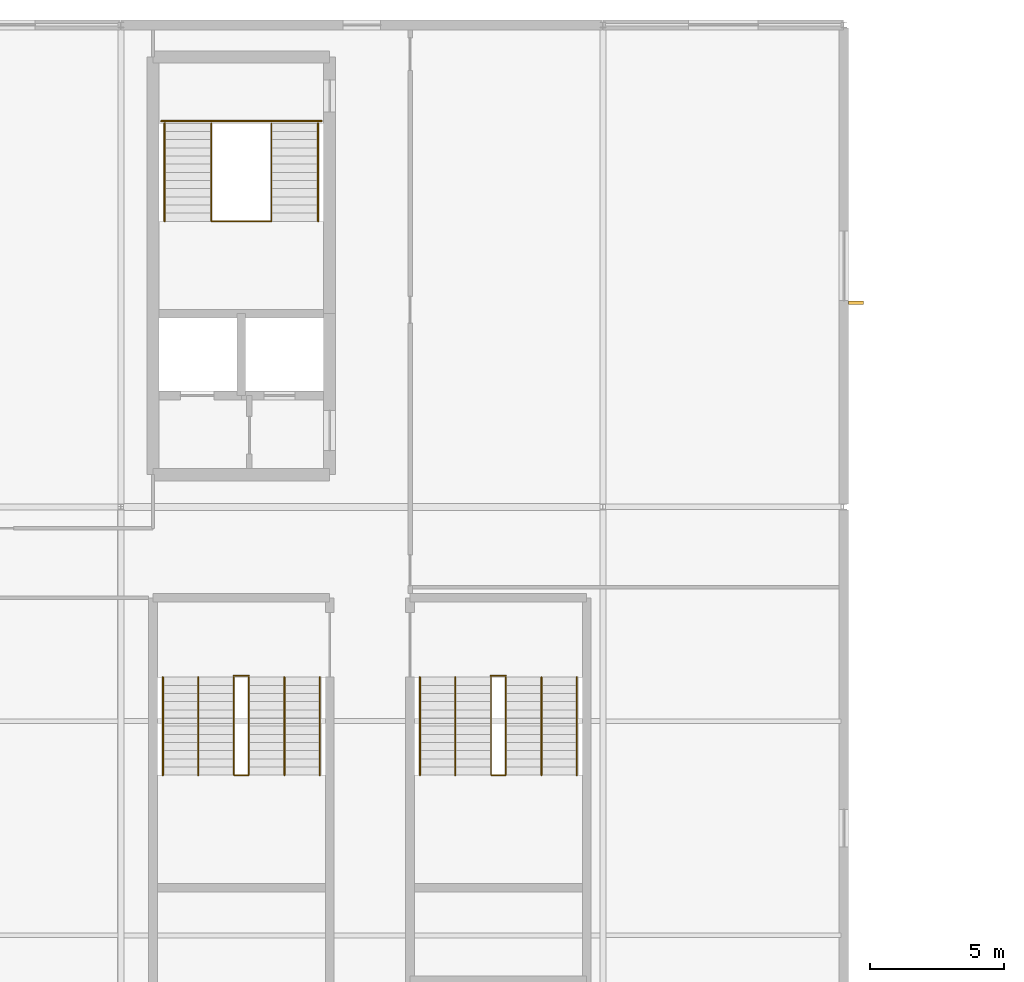
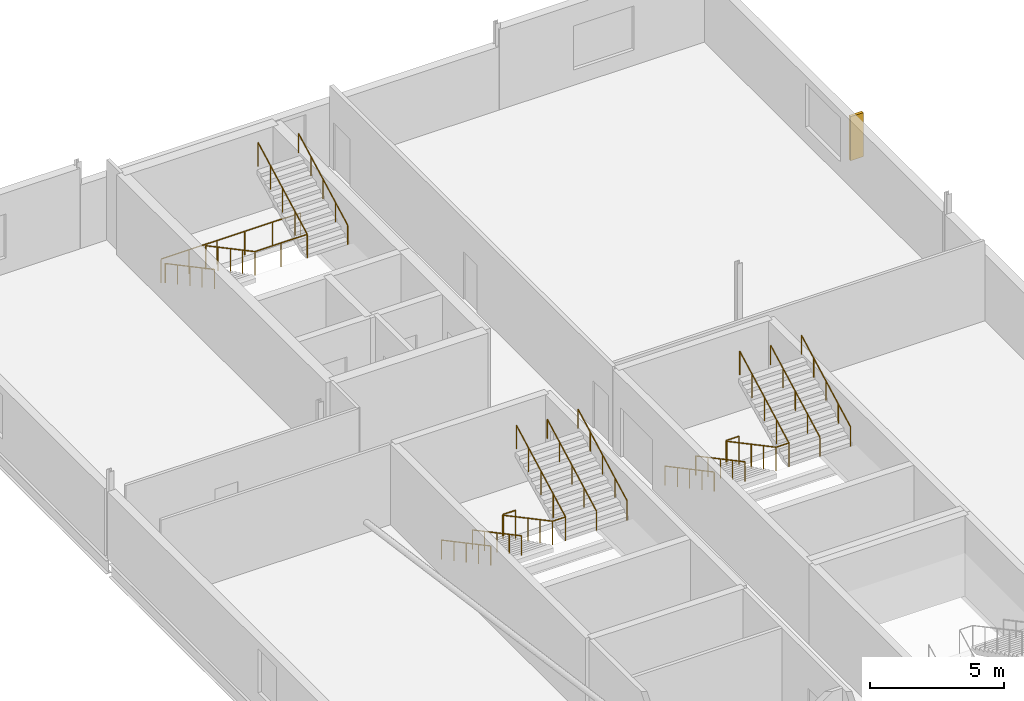
# One storey, part 32 of 35: 16 railings, 1 shading device.
"""IFC4 building model written with IfcOpenShell, lengths in metres."""

from ifc_helpers import new_model, si_unit, direction, frame, origin, origin_2d, place, context, subcontext, project, spatial, rectangle, circle, extrude, material, type_object, element, save


model = new_model("IFC4")

# Units and contexts
model_context = context("Model", 3, precision=1e-05, world=origin(), true_north=direction((0.0, 1.0)))
body_context = subcontext(model_context, "Body", "Model", "MODEL_VIEW")
ifc_project = project(units=[si_unit("LENGTHUNIT", "METRE"), si_unit("AREAUNIT", "SQUARE_METRE"), si_unit("VOLUMEUNIT", "CUBIC_METRE"), si_unit("PLANEANGLEUNIT", "RADIAN"), si_unit("MASSUNIT", "GRAM", prefix="KILO")], contexts=[model_context])

# Site, building, storey
site_placement = place(None, origin())
site = spatial("IfcSite", under=ifc_project, at=site_placement, CompositionType="ELEMENT")
building_placement = place(site_placement, origin())
building = spatial("IfcBuilding", under=site, at=building_placement, Name="Kisiwana Market Hall", CompositionType="ELEMENT")
storey_placement = place(building_placement, frame((0.0, 0.0, 61.800048828125)))
storey = spatial("IfcBuildingStorey", under=building, at=storey_placement, Name="L14", CompositionType="ELEMENT", Elevation=61.800048828125)

# Railings
ifc_material_1 = material(Name="Steel S275", Category="steel")
railing_type_1 = type_object("IfcRailingType", Name="RL-GUARD-1100", PredefinedType="GUARDRAIL", material=ifc_material_1)
railing_1_placement = place(storey_placement, frame((12.375, 98.325439453125, 0.0)))
element("IfcRailing", 1, at=railing_1_placement, inside=storey, type_object=railing_type_1, Name="Stair ST-W1-L14 inner-well guardrail (RL-1591)", PredefinedType="GUARDRAIL", context=body_context, shape_type="SweptSolid", body=[
    extrude(circle(Radius=0.02392578125, at=origin_2d()), frame((0.0, 0.0, 1.076171875), z_axis=(0.0, -0.88255331184, 0.47021234752), x_axis=(1.0, 0.0, 0.0)), (0.0, 0.0, 1.0), 4.14697265625),
    extrude(circle(Radius=0.02392578125, at=origin_2d()), frame((0.0, -3.659912109375, 3.02587890625), z_axis=(1.0, 0.0, 0.0), x_axis=(0.0, 1.0, 0.0)), (0.0, 0.0, 1.0), 2.25),
    extrude(circle(Radius=0.02392578125, at=origin_2d()), frame((2.25, -3.659912109375, 3.02587890625), z_axis=(0.0, 0.88255331184, 0.47021234752), x_axis=(-1.0, 0.0, 0.0)), (0.0, 0.0, 1.0), 4.14697265625),
    extrude(circle(Radius=0.02099609375, at=origin_2d()), origin(), (0.0, 0.0, 1.0), 1.052001953125),
    extrude(circle(Radius=0.02099609375, at=origin_2d()), frame((0.0, -0.9150390625, 0.487548828125)), (0.0, 0.0, 1.0), 1.052001953125),
    extrude(circle(Radius=0.02099609375, at=origin_2d()), frame((0.0, -1.830078125, 0.97509765625)), (0.0, 0.0, 1.0), 1.052001953125),
    extrude(circle(Radius=0.02099609375, at=origin_2d()), frame((0.0, -2.744873046875, 1.46240234375)), (0.0, 0.0, 1.0), 1.052001953125),
    extrude(circle(Radius=0.02099609375, at=origin_2d()), frame((0.0, -3.659912109375, 1.949951171875)), (0.0, 0.0, 1.0), 1.052001953125),
    extrude(circle(Radius=0.02099609375, at=origin_2d()), frame((1.125, -3.659912109375, 1.949951171875)), (0.0, 0.0, 1.0), 1.052001953125),
    extrude(circle(Radius=0.02099609375, at=origin_2d()), frame((2.25, -3.659912109375, 1.949951171875)), (0.0, 0.0, 1.0), 1.052001953125),
    extrude(circle(Radius=0.02099609375, at=origin_2d()), frame((2.25, -2.744873046875, 2.4375)), (0.0, 0.0, 1.0), 1.052001953125),
    extrude(circle(Radius=0.02099609375, at=origin_2d()), frame((2.25, -1.830078125, 2.9248046875)), (0.0, 0.0, 1.0), 1.052001953125),
    extrude(circle(Radius=0.02099609375, at=origin_2d()), frame((2.25, -0.9150390625, 3.412353515625)), (0.0, 0.0, 1.0), 1.052001953125),
    extrude(circle(Radius=0.02099609375, at=origin_2d()), frame((2.25, 0.0, 3.89990234375)), (0.0, 0.0, 1.0), 1.052001953125),
])
railing_2_placement = place(storey_placement, frame((10.5048828125, 98.405517578125, 0.0)))
element("IfcRailing", 2, at=railing_2_placement, inside=storey, type_object=railing_type_1, Name="Stair ST-W1-L14 landing edge guardrail (RL-1594)", PredefinedType="GUARDRAIL", context=body_context, shape_type="SweptSolid", body=[
    extrude(circle(Radius=0.02392578125, at=origin_2d()), frame((0.0, 0.0, 1.076171875), z_axis=(1.0, 0.0, 0.0), x_axis=(0.0, 1.0, 0.0)), (0.0, 0.0, 1.0), 5.990234375),
    extrude(circle(Radius=0.02099609375, at=origin_2d()), origin(), (0.0, 0.0, 1.0), 1.052001953125),
    extrude(circle(Radius=0.02099609375, at=origin_2d()), frame((1.197998046875, 0.0, 0.0)), (0.0, 0.0, 1.0), 1.052001953125),
    extrude(circle(Radius=0.02099609375, at=origin_2d()), frame((2.39599609375, 0.0, 0.0)), (0.0, 0.0, 1.0), 1.052001953125),
    extrude(circle(Radius=0.02099609375, at=origin_2d()), frame((3.59423828125, 0.0, 0.0)), (0.0, 0.0, 1.0), 1.052001953125),
    extrude(circle(Radius=0.02099609375, at=origin_2d()), frame((4.792236328125, 0.0, 0.0)), (0.0, 0.0, 1.0), 1.052001953125),
    extrude(circle(Radius=0.02099609375, at=origin_2d()), frame((5.990234375, 0.0, 0.0)), (0.0, 0.0, 1.0), 1.052001953125),
])
railing_3_placement = place(storey_placement, frame((13.219970703125, 77.639892578125, 0.0)))
element("IfcRailing", 3, at=railing_3_placement, inside=storey, type_object=railing_type_1, Name="Stair ST-W4-L14 inner-well guardrail (RL-1609)", PredefinedType="GUARDRAIL", context=body_context, shape_type="SweptSolid", body=[
    extrude(circle(Radius=0.02392578125, at=origin_2d()), frame((0.0, 0.0, 1.076171875), z_axis=(0.0, -0.88255331184, 0.47021234752), x_axis=(1.0, 0.0, 0.0)), (0.0, 0.0, 1.0), 4.14697265625),
    extrude(circle(Radius=0.02392578125, at=origin_2d()), frame((0.0, -3.659912109375, 3.02587890625), z_axis=(1.0, 0.0, 0.0), x_axis=(0.0, 1.0, 0.0)), (0.0, 0.0, 1.0), 0.56005859375),
    extrude(circle(Radius=0.02392578125, at=origin_2d()), frame((0.56005859375, -3.659912109375, 3.02587890625), z_axis=(0.0, 0.88255331184, 0.47021234752), x_axis=(-1.0, 0.0, 0.0)), (0.0, 0.0, 1.0), 4.14697265625),
    extrude(circle(Radius=0.02099609375, at=origin_2d()), origin(), (0.0, 0.0, 1.0), 1.052001953125),
    extrude(circle(Radius=0.02099609375, at=origin_2d()), frame((0.0, -0.9150390625, 0.487548828125)), (0.0, 0.0, 1.0), 1.052001953125),
    extrude(circle(Radius=0.02099609375, at=origin_2d()), frame((0.0, -1.830078125, 0.97509765625)), (0.0, 0.0, 1.0), 1.052001953125),
    extrude(circle(Radius=0.02099609375, at=origin_2d()), frame((0.0, -2.744873046875, 1.46240234375)), (0.0, 0.0, 1.0), 1.052001953125),
    extrude(circle(Radius=0.02099609375, at=origin_2d()), frame((0.0, -3.659912109375, 1.949951171875)), (0.0, 0.0, 1.0), 1.052001953125),
    extrude(circle(Radius=0.02099609375, at=origin_2d()), frame((0.56005859375, -3.659912109375, 1.949951171875)), (0.0, 0.0, 1.0), 1.052001953125),
    extrude(circle(Radius=0.02099609375, at=origin_2d()), frame((0.56005859375, -2.744873046875, 2.4375)), (0.0, 0.0, 1.0), 1.052001953125),
    extrude(circle(Radius=0.02099609375, at=origin_2d()), frame((0.56005859375, -1.830078125, 2.9248046875)), (0.0, 0.0, 1.0), 1.052001953125),
    extrude(circle(Radius=0.02099609375, at=origin_2d()), frame((0.56005859375, -0.9150390625, 3.412353515625)), (0.0, 0.0, 1.0), 1.052001953125),
    extrude(circle(Radius=0.02099609375, at=origin_2d()), frame((0.56005859375, 0.0, 3.89990234375)), (0.0, 0.0, 1.0), 1.052001953125),
])
railing_4_placement = place(storey_placement, frame((13.219970703125, 77.68994140625, 0.0)))
element("IfcRailing", 4, at=railing_4_placement, inside=storey, type_object=railing_type_1, Name="Stair ST-W4-L14 landing edge guardrail (RL-1614)", PredefinedType="GUARDRAIL", context=body_context, shape_type="SweptSolid", body=[
    extrude(circle(Radius=0.02392578125, at=origin_2d()), frame((0.0, 0.0, 1.076171875), z_axis=(1.0, 0.0, 0.0), x_axis=(0.0, 1.0, 0.0)), (0.0, 0.0, 1.0), 0.56005859375),
    extrude(circle(Radius=0.02099609375, at=origin_2d()), origin(), (0.0, 0.0, 1.0), 1.052001953125),
    extrude(circle(Radius=0.02099609375, at=origin_2d()), frame((0.56005859375, 0.0, 0.0)), (0.0, 0.0, 1.0), 1.052001953125),
])
railing_5_placement = place(storey_placement, frame((22.820068359375, 77.639892578125, 0.0)))
element("IfcRailing", 5, at=railing_5_placement, inside=storey, type_object=railing_type_1, Name="Stair ST-W8-L14 inner-well guardrail (RL-1639)", PredefinedType="GUARDRAIL", context=body_context, shape_type="SweptSolid", body=[
    extrude(circle(Radius=0.02392578125, at=origin_2d()), frame((0.0, 0.0, 1.076171875), z_axis=(0.0, -0.88255331184, 0.47021234752), x_axis=(1.0, 0.0, 0.0)), (0.0, 0.0, 1.0), 4.14697265625),
    extrude(circle(Radius=0.02392578125, at=origin_2d()), frame((0.0, -3.659912109375, 3.02587890625), z_axis=(1.0, 0.0, 0.0), x_axis=(0.0, 1.0, 0.0)), (0.0, 0.0, 1.0), 0.559814453125),
    extrude(circle(Radius=0.02392578125, at=origin_2d()), frame((0.559814453125, -3.659912109375, 3.02587890625), z_axis=(0.0, 0.88255331184, 0.47021234752), x_axis=(-1.0, 0.0, 0.0)), (0.0, 0.0, 1.0), 4.14697265625),
    extrude(circle(Radius=0.02099609375, at=origin_2d()), origin(), (0.0, 0.0, 1.0), 1.052001953125),
    extrude(circle(Radius=0.02099609375, at=origin_2d()), frame((0.0, -0.9150390625, 0.487548828125)), (0.0, 0.0, 1.0), 1.052001953125),
    extrude(circle(Radius=0.02099609375, at=origin_2d()), frame((0.0, -1.830078125, 0.97509765625)), (0.0, 0.0, 1.0), 1.052001953125),
    extrude(circle(Radius=0.02099609375, at=origin_2d()), frame((0.0, -2.744873046875, 1.46240234375)), (0.0, 0.0, 1.0), 1.052001953125),
    extrude(circle(Radius=0.02099609375, at=origin_2d()), frame((0.0, -3.659912109375, 1.949951171875)), (0.0, 0.0, 1.0), 1.052001953125),
    extrude(circle(Radius=0.02099609375, at=origin_2d()), frame((0.559814453125, -3.659912109375, 1.949951171875)), (0.0, 0.0, 1.0), 1.052001953125),
    extrude(circle(Radius=0.02099609375, at=origin_2d()), frame((0.559814453125, -2.744873046875, 2.4375)), (0.0, 0.0, 1.0), 1.052001953125),
    extrude(circle(Radius=0.02099609375, at=origin_2d()), frame((0.559814453125, -1.830078125, 2.9248046875)), (0.0, 0.0, 1.0), 1.052001953125),
    extrude(circle(Radius=0.02099609375, at=origin_2d()), frame((0.559814453125, -0.9150390625, 3.412353515625)), (0.0, 0.0, 1.0), 1.052001953125),
    extrude(circle(Radius=0.02099609375, at=origin_2d()), frame((0.559814453125, 0.0, 3.89990234375)), (0.0, 0.0, 1.0), 1.052001953125),
])
railing_6_placement = place(storey_placement, frame((22.820068359375, 77.68994140625, 0.0)))
element("IfcRailing", 6, at=railing_6_placement, inside=storey, type_object=railing_type_1, Name="Stair ST-W8-L14 landing edge guardrail (RL-1644)", PredefinedType="GUARDRAIL", context=body_context, shape_type="SweptSolid", body=[
    extrude(circle(Radius=0.02392578125, at=origin_2d()), frame((0.0, 0.0, 1.076171875), z_axis=(1.0, 0.0, 0.0), x_axis=(0.0, 1.0, 0.0)), (0.0, 0.0, 1.0), 0.559814453125),
    extrude(circle(Radius=0.02099609375, at=origin_2d()), origin(), (0.0, 0.0, 1.0), 1.052001953125),
    extrude(circle(Radius=0.02099609375, at=origin_2d()), frame((0.559814453125, 0.0, 0.0)), (0.0, 0.0, 1.0), 1.052001953125),
])
ifc_material_2 = material(Name="Steel S275", Category="steel")
railing_type_2 = type_object("IfcRailingType", Name="RL-HAND-900", PredefinedType="HANDRAIL", material=ifc_material_2)
railing_7_placement = place(storey_placement, frame((10.635009765625, 98.325439453125, 0.0)))
element("IfcRailing", 7, at=railing_7_placement, inside=storey, type_object=railing_type_2, Name="Stair ST-W1-L14 flight 1 handrail (RL-1592)", PredefinedType="HANDRAIL", context=body_context, shape_type="SweptSolid", body=[
    extrude(circle(Radius=0.02392578125, at=origin_2d()), frame((0.0, 0.0, 0.8759765625), z_axis=(0.0, -0.88255331184, 0.47021234752), x_axis=(1.0, 0.0, 0.0)), (0.0, 0.0, 1.0), 4.14697265625),
    extrude(circle(Radius=0.02099609375, at=origin_2d()), origin(), (0.0, 0.0, 1.0), 0.851806640625),
    extrude(circle(Radius=0.02099609375, at=origin_2d()), frame((0.0, -0.9150390625, 0.487548828125)), (0.0, 0.0, 1.0), 0.851806640625),
    extrude(circle(Radius=0.02099609375, at=origin_2d()), frame((0.0, -1.830078125, 0.97509765625)), (0.0, 0.0, 1.0), 0.851806640625),
    extrude(circle(Radius=0.02099609375, at=origin_2d()), frame((0.0, -2.744873046875, 1.46240234375)), (0.0, 0.0, 1.0), 0.851806640625),
    extrude(circle(Radius=0.02099609375, at=origin_2d()), frame((0.0, -3.659912109375, 1.949951171875)), (0.0, 0.0, 1.0), 0.851806640625),
])
railing_8_placement = place(storey_placement, frame((16.364990234375, 94.66552734375, 1.949951171875)))
element("IfcRailing", 8, at=railing_8_placement, inside=storey, type_object=railing_type_2, Name="Stair ST-W1-L14 flight 2 handrail (RL-1593)", PredefinedType="HANDRAIL", context=body_context, shape_type="SweptSolid", body=[
    extrude(circle(Radius=0.02392578125, at=origin_2d()), frame((0.0, 0.0, 0.8759765625), z_axis=(0.0, 0.88255331184, 0.47021234752), x_axis=(-1.0, 0.0, 0.0)), (0.0, 0.0, 1.0), 4.14697265625),
    extrude(circle(Radius=0.02099609375, at=origin_2d()), origin(), (0.0, 0.0, 1.0), 0.851806640625),
    extrude(circle(Radius=0.02099609375, at=origin_2d()), frame((0.0, 0.9150390625, 0.487548828125)), (0.0, 0.0, 1.0), 0.851806640625),
    extrude(circle(Radius=0.02099609375, at=origin_2d()), frame((0.0, 1.830078125, 0.97509765625)), (0.0, 0.0, 1.0), 0.851806640625),
    extrude(circle(Radius=0.02099609375, at=origin_2d()), frame((0.0, 2.744873046875, 1.46240234375)), (0.0, 0.0, 1.0), 0.851806640625),
    extrude(circle(Radius=0.02099609375, at=origin_2d()), frame((0.0, 3.659912109375, 1.949951171875)), (0.0, 0.0, 1.0), 0.851806640625),
])
railing_9_placement = place(storey_placement, frame((10.570068359375, 77.639892578125, 0.0)))
element("IfcRailing", 9, at=railing_9_placement, inside=storey, type_object=railing_type_2, Name="Stair ST-W4-L14 flight 1 handrail (RL-1610)", PredefinedType="HANDRAIL", context=body_context, shape_type="SweptSolid", body=[
    extrude(circle(Radius=0.02392578125, at=origin_2d()), frame((0.0, 0.0, 0.8759765625), z_axis=(0.0, -0.88255331184, 0.47021234752), x_axis=(1.0, 0.0, 0.0)), (0.0, 0.0, 1.0), 4.14697265625),
    extrude(circle(Radius=0.02099609375, at=origin_2d()), origin(), (0.0, 0.0, 1.0), 0.851806640625),
    extrude(circle(Radius=0.02099609375, at=origin_2d()), frame((0.0, -0.9150390625, 0.487548828125)), (0.0, 0.0, 1.0), 0.851806640625),
    extrude(circle(Radius=0.02099609375, at=origin_2d()), frame((0.0, -1.830078125, 0.97509765625)), (0.0, 0.0, 1.0), 0.851806640625),
    extrude(circle(Radius=0.02099609375, at=origin_2d()), frame((0.0, -2.744873046875, 1.46240234375)), (0.0, 0.0, 1.0), 0.851806640625),
    extrude(circle(Radius=0.02099609375, at=origin_2d()), frame((0.0, -3.659912109375, 1.949951171875)), (0.0, 0.0, 1.0), 0.851806640625),
])
railing_10_placement = place(storey_placement, frame((16.429931640625, 73.97998046875, 1.949951171875)))
element("IfcRailing", 10, at=railing_10_placement, inside=storey, type_object=railing_type_2, Name="Stair ST-W4-L14 flight 2 handrail (RL-1611)", PredefinedType="HANDRAIL", context=body_context, shape_type="SweptSolid", body=[
    extrude(circle(Radius=0.02392578125, at=origin_2d()), frame((0.0, 0.0, 0.8759765625), z_axis=(0.0, 0.88255331184, 0.47021234752), x_axis=(-1.0, 0.0, 0.0)), (0.0, 0.0, 1.0), 4.14697265625),
    extrude(circle(Radius=0.02099609375, at=origin_2d()), origin(), (0.0, 0.0, 1.0), 0.851806640625),
    extrude(circle(Radius=0.02099609375, at=origin_2d()), frame((0.0, 0.9150390625, 0.487548828125)), (0.0, 0.0, 1.0), 0.851806640625),
    extrude(circle(Radius=0.02099609375, at=origin_2d()), frame((0.0, 1.830078125, 0.97509765625)), (0.0, 0.0, 1.0), 0.851806640625),
    extrude(circle(Radius=0.02099609375, at=origin_2d()), frame((0.0, 2.744873046875, 1.46240234375)), (0.0, 0.0, 1.0), 0.851806640625),
    extrude(circle(Radius=0.02099609375, at=origin_2d()), frame((0.0, 3.659912109375, 1.949951171875)), (0.0, 0.0, 1.0), 0.851806640625),
])
railing_11_placement = place(storey_placement, frame((11.889892578125, 77.639892578125, 0.0)))
element("IfcRailing", 11, at=railing_11_placement, inside=storey, type_object=railing_type_2, Name="Stair ST-W4-L14 flight 1 intermediate handrail (RL-1612)", PredefinedType="HANDRAIL", context=body_context, shape_type="SweptSolid", body=[
    extrude(circle(Radius=0.02392578125, at=origin_2d()), frame((0.0, 0.0, 0.8759765625), z_axis=(0.0, -0.88255331184, 0.47021234752), x_axis=(1.0, 0.0, 0.0)), (0.0, 0.0, 1.0), 4.14697265625),
    extrude(circle(Radius=0.02099609375, at=origin_2d()), origin(), (0.0, 0.0, 1.0), 0.851806640625),
    extrude(circle(Radius=0.02099609375, at=origin_2d()), frame((0.0, -0.9150390625, 0.487548828125)), (0.0, 0.0, 1.0), 0.851806640625),
    extrude(circle(Radius=0.02099609375, at=origin_2d()), frame((0.0, -1.830078125, 0.97509765625)), (0.0, 0.0, 1.0), 0.851806640625),
    extrude(circle(Radius=0.02099609375, at=origin_2d()), frame((0.0, -2.744873046875, 1.46240234375)), (0.0, 0.0, 1.0), 0.851806640625),
    extrude(circle(Radius=0.02099609375, at=origin_2d()), frame((0.0, -3.659912109375, 1.949951171875)), (0.0, 0.0, 1.0), 0.851806640625),
])
railing_12_placement = place(storey_placement, frame((15.110107421875, 73.97998046875, 1.949951171875)))
element("IfcRailing", 12, at=railing_12_placement, inside=storey, type_object=railing_type_2, Name="Stair ST-W4-L14 flight 2 intermediate handrail (RL-1613)", PredefinedType="HANDRAIL", context=body_context, shape_type="SweptSolid", body=[
    extrude(circle(Radius=0.02392578125, at=origin_2d()), frame((0.0, 0.0, 0.8759765625), z_axis=(0.0, 0.88255331184, 0.47021234752), x_axis=(-1.0, 0.0, 0.0)), (0.0, 0.0, 1.0), 4.14697265625),
    extrude(circle(Radius=0.02099609375, at=origin_2d()), origin(), (0.0, 0.0, 1.0), 0.851806640625),
    extrude(circle(Radius=0.02099609375, at=origin_2d()), frame((0.0, 0.9150390625, 0.487548828125)), (0.0, 0.0, 1.0), 0.851806640625),
    extrude(circle(Radius=0.02099609375, at=origin_2d()), frame((0.0, 1.830078125, 0.97509765625)), (0.0, 0.0, 1.0), 0.851806640625),
    extrude(circle(Radius=0.02099609375, at=origin_2d()), frame((0.0, 2.744873046875, 1.46240234375)), (0.0, 0.0, 1.0), 0.851806640625),
    extrude(circle(Radius=0.02099609375, at=origin_2d()), frame((0.0, 3.659912109375, 1.949951171875)), (0.0, 0.0, 1.0), 0.851806640625),
])
railing_13_placement = place(storey_placement, frame((20.169921875, 77.639892578125, 0.0)))
element("IfcRailing", 13, at=railing_13_placement, inside=storey, type_object=railing_type_2, Name="Stair ST-W8-L14 flight 1 handrail (RL-1640)", PredefinedType="HANDRAIL", context=body_context, shape_type="SweptSolid", body=[
    extrude(circle(Radius=0.02392578125, at=origin_2d()), frame((0.0, 0.0, 0.8759765625), z_axis=(0.0, -0.88255331184, 0.47021234752), x_axis=(1.0, 0.0, 0.0)), (0.0, 0.0, 1.0), 4.14697265625),
    extrude(circle(Radius=0.02099609375, at=origin_2d()), origin(), (0.0, 0.0, 1.0), 0.851806640625),
    extrude(circle(Radius=0.02099609375, at=origin_2d()), frame((0.0, -0.9150390625, 0.487548828125)), (0.0, 0.0, 1.0), 0.851806640625),
    extrude(circle(Radius=0.02099609375, at=origin_2d()), frame((0.0, -1.830078125, 0.97509765625)), (0.0, 0.0, 1.0), 0.851806640625),
    extrude(circle(Radius=0.02099609375, at=origin_2d()), frame((0.0, -2.744873046875, 1.46240234375)), (0.0, 0.0, 1.0), 0.851806640625),
    extrude(circle(Radius=0.02099609375, at=origin_2d()), frame((0.0, -3.659912109375, 1.949951171875)), (0.0, 0.0, 1.0), 0.851806640625),
])
railing_14_placement = place(storey_placement, frame((26.030029296875, 73.97998046875, 1.949951171875)))
element("IfcRailing", 14, at=railing_14_placement, inside=storey, type_object=railing_type_2, Name="Stair ST-W8-L14 flight 2 handrail (RL-1641)", PredefinedType="HANDRAIL", context=body_context, shape_type="SweptSolid", body=[
    extrude(circle(Radius=0.02392578125, at=origin_2d()), frame((0.0, 0.0, 0.8759765625), z_axis=(0.0, 0.88255331184, 0.47021234752), x_axis=(-1.0, 0.0, 0.0)), (0.0, 0.0, 1.0), 4.14697265625),
    extrude(circle(Radius=0.02099609375, at=origin_2d()), origin(), (0.0, 0.0, 1.0), 0.851806640625),
    extrude(circle(Radius=0.02099609375, at=origin_2d()), frame((0.0, 0.9150390625, 0.487548828125)), (0.0, 0.0, 1.0), 0.851806640625),
    extrude(circle(Radius=0.02099609375, at=origin_2d()), frame((0.0, 1.830078125, 0.97509765625)), (0.0, 0.0, 1.0), 0.851806640625),
    extrude(circle(Radius=0.02099609375, at=origin_2d()), frame((0.0, 2.744873046875, 1.46240234375)), (0.0, 0.0, 1.0), 0.851806640625),
    extrude(circle(Radius=0.02099609375, at=origin_2d()), frame((0.0, 3.659912109375, 1.949951171875)), (0.0, 0.0, 1.0), 0.851806640625),
])
railing_15_placement = place(storey_placement, frame((21.489990234375, 77.639892578125, 0.0)))
element("IfcRailing", 15, at=railing_15_placement, inside=storey, type_object=railing_type_2, Name="Stair ST-W8-L14 flight 1 intermediate handrail (RL-1642)", PredefinedType="HANDRAIL", context=body_context, shape_type="SweptSolid", body=[
    extrude(circle(Radius=0.02392578125, at=origin_2d()), frame((0.0, 0.0, 0.8759765625), z_axis=(0.0, -0.88255331184, 0.47021234752), x_axis=(1.0, 0.0, 0.0)), (0.0, 0.0, 1.0), 4.14697265625),
    extrude(circle(Radius=0.02099609375, at=origin_2d()), origin(), (0.0, 0.0, 1.0), 0.851806640625),
    extrude(circle(Radius=0.02099609375, at=origin_2d()), frame((0.0, -0.9150390625, 0.487548828125)), (0.0, 0.0, 1.0), 0.851806640625),
    extrude(circle(Radius=0.02099609375, at=origin_2d()), frame((0.0, -1.830078125, 0.97509765625)), (0.0, 0.0, 1.0), 0.851806640625),
    extrude(circle(Radius=0.02099609375, at=origin_2d()), frame((0.0, -2.744873046875, 1.46240234375)), (0.0, 0.0, 1.0), 0.851806640625),
    extrude(circle(Radius=0.02099609375, at=origin_2d()), frame((0.0, -3.659912109375, 1.949951171875)), (0.0, 0.0, 1.0), 0.851806640625),
])
railing_16_placement = place(storey_placement, frame((24.7099609375, 73.97998046875, 1.949951171875)))
element("IfcRailing", 16, at=railing_16_placement, inside=storey, type_object=railing_type_2, Name="Stair ST-W8-L14 flight 2 intermediate handrail (RL-1643)", PredefinedType="HANDRAIL", context=body_context, shape_type="SweptSolid", body=[
    extrude(circle(Radius=0.02392578125, at=origin_2d()), frame((0.0, 0.0, 0.8759765625), z_axis=(0.0, 0.88255331184, 0.47021234752), x_axis=(-1.0, 0.0, 0.0)), (0.0, 0.0, 1.0), 4.14697265625),
    extrude(circle(Radius=0.02099609375, at=origin_2d()), origin(), (0.0, 0.0, 1.0), 0.851806640625),
    extrude(circle(Radius=0.02099609375, at=origin_2d()), frame((0.0, 0.9150390625, 0.487548828125)), (0.0, 0.0, 1.0), 0.851806640625),
    extrude(circle(Radius=0.02099609375, at=origin_2d()), frame((0.0, 1.830078125, 0.97509765625)), (0.0, 0.0, 1.0), 0.851806640625),
    extrude(circle(Radius=0.02099609375, at=origin_2d()), frame((0.0, 2.744873046875, 1.46240234375)), (0.0, 0.0, 1.0), 0.851806640625),
    extrude(circle(Radius=0.02099609375, at=origin_2d()), frame((0.0, 3.659912109375, 1.949951171875)), (0.0, 0.0, 1.0), 0.851806640625),
])

# Shading device
ifc_material_3 = material(Name="Aluminium alloy 6063-T6", Category="aluminium")
shading_device_type = type_object("IfcShadingDeviceType", Name="SHD-SHUTTER-V", PredefinedType="SHUTTER", material=ifc_material_3)
shading_device_placement = place(storey_placement, frame((36.45751953125, 91.6201171875, 0.699951171875), z_axis=(0.0, 0.0, 1.0), x_axis=(0.0, 1.0, 0.0)))
element("IfcShadingDevice", 17, at=shading_device_placement, inside=storey, type_object=shading_device_type, Name="Vertical solar fin SHD-218 SD-217", PredefinedType="SHUTTER", context=body_context, shape_type="SweptSolid", body=[
    extrude(rectangle(XDim=0.1201171875, YDim=0.550048828125, at=origin_2d()), origin(), (0.0, 0.0, 1.0), 2.0),
])

save(model, "model.ifc")
